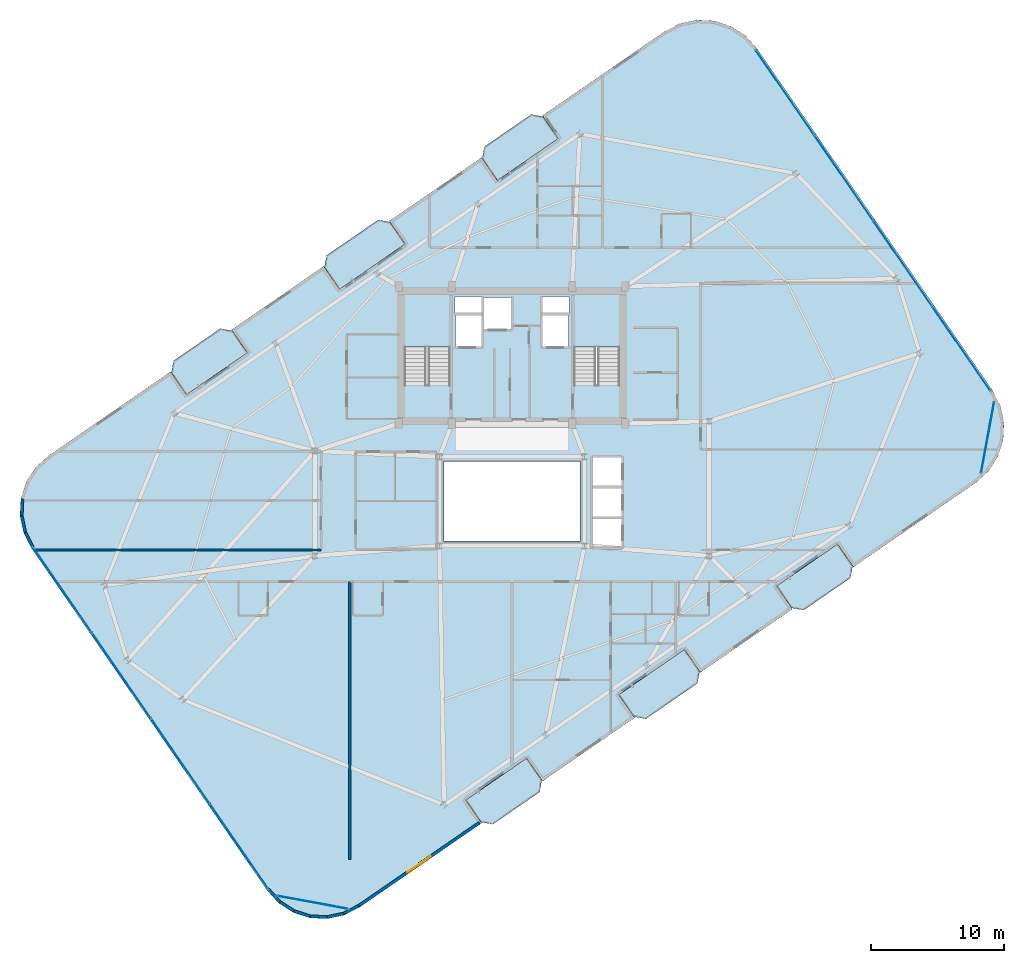
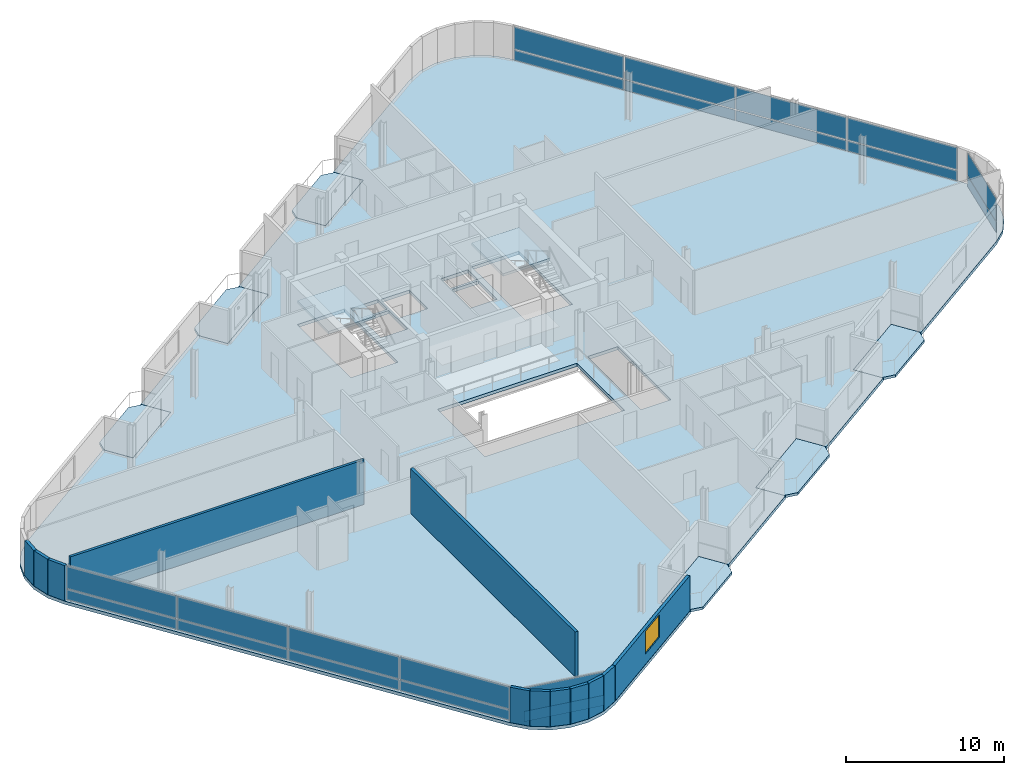
# One storey, part 15 of 23: 20 plates, 12 walls, 9 slabs, 1 window, 1 opening, 6 elements without a shape of their own.
"""IFC4 building model written with IfcOpenShell, lengths in metres."""

from ifc_helpers import new_model, si_unit, direction, frame, frame_2d, origin, origin_2d, place, context, subcontext, project, spatial, polyline, rectangle, outline, extrude, source, transform, mapped, material, layer, layer_set, type_object, element, fill, aggregate, save


model = new_model("IFC4")

# Units and contexts
model_context = context("Model", 3, precision=1e-05, world=origin(), true_north=direction((0.0, 1.0)))
body_context = subcontext(model_context, "Body", "Model", "MODEL_VIEW")
ifc_project = project(units=[si_unit("LENGTHUNIT", "METRE"), si_unit("AREAUNIT", "SQUARE_METRE"), si_unit("VOLUMEUNIT", "CUBIC_METRE"), si_unit("PLANEANGLEUNIT", "RADIAN"), si_unit("MASSUNIT", "GRAM", prefix="KILO")], contexts=[model_context])

# Site, building, storey
site_placement = place(None, origin())
site = spatial("IfcSite", under=ifc_project, at=site_placement, CompositionType="ELEMENT")
building_placement = place(site_placement, origin())
building = spatial("IfcBuilding", under=site, at=building_placement, Name="Varnelok Gate Tower", CompositionType="ELEMENT")
storey_placement = place(building_placement, frame((0.0, 0.0, 273.0)))
storey = spatial("IfcBuildingStorey", under=building, at=storey_placement, Name="L70", CompositionType="ELEMENT", Elevation=273.0)

# Slabs
ifc_material_1 = material(Name="Concrete C45/55", Category="concrete")
ifc_layer_1 = layer(ifc_material_1, 0.199951171875)
ifc_layer_set_1 = layer_set([ifc_layer_1], Name="Concrete C45/55")
slab_type_1 = type_object("IfcSlabType", Name="SLB-BALC-200", PredefinedType="FLOOR", material=ifc_layer_set_1)
slab_1_placement = place(storey_placement, frame((0.0, 0.0, -0.199951171875)))
element("IfcSlab", 1, at=slab_1_placement, inside=storey, type_object=slab_type_1, Name="L70 South Hollow Balcony 1", PredefinedType="FLOOR", context=body_context, shape_type="SweptSolid", body=[
    extrude(outline(polyline([(36.856201171875, -1.207275390625), (37.76025390625, -1.373779296875), (41.274169921875, 1.046630859375), (41.440673828125, 1.95068359375), (40.30615234375, 3.597900390625), (35.7216796875, 0.439697265625), (36.856201171875, -1.207275390625)])), origin(), (0.0, 0.0, 1.0), 0.199951171875),
])
slab_2_placement = place(storey_placement, frame((0.0, 0.0, -0.199951171875)))
element("IfcSlab", 2, at=slab_2_placement, inside=storey, type_object=slab_type_1, Name="L70 South Hollow Balcony 2", PredefinedType="FLOOR", context=body_context, shape_type="SweptSolid", body=[
    extrude(outline(polyline([(48.3583984375, 6.7158203125), (49.262451171875, 6.54931640625), (53.133056640625, 9.21533203125), (53.299560546875, 10.119384765625), (52.1650390625, 11.7666015625), (47.223876953125, 8.36279296875), (48.3583984375, 6.7158203125)])), origin(), (0.0, 0.0, 1.0), 0.199951171875),
])
slab_3_placement = place(storey_placement, frame((0.0, 0.0, -0.199951171875)))
element("IfcSlab", 3, at=slab_3_placement, inside=storey, type_object=slab_type_1, Name="L70 South Hollow Balcony 3", PredefinedType="FLOOR", context=body_context, shape_type="SweptSolid", body=[
    extrude(outline(polyline([(60.21728515625, 14.884521484375), (61.121337890625, 14.718017578125), (64.63525390625, 17.138427734375), (64.802001953125, 18.04248046875), (63.66748046875, 19.689453125), (59.082763671875, 16.531494140625), (60.21728515625, 14.884521484375)])), origin(), (0.0, 0.0, 1.0), 0.199951171875),
])
slab_4_placement = place(storey_placement, frame((0.0, 0.0, -0.199951171875)))
element("IfcSlab", 4, at=slab_4_placement, inside=storey, type_object=slab_type_1, Name="L70 North Hollow Balcony 1", PredefinedType="FLOOR", context=body_context, shape_type="SweptSolid", body=[
    extrude(outline(polyline([(14.732666015625, 30.910400390625), (19.3173828125, 34.068603515625), (18.1826171875, 35.715576171875), (17.27880859375, 35.882080078125), (13.7646484375, 33.461669921875), (13.59814453125, 32.5576171875), (14.732666015625, 30.910400390625)])), origin(), (0.0, 0.0, 1.0), 0.199951171875),
])
slab_5_placement = place(storey_placement, frame((0.0, 0.0, -0.199951171875)))
element("IfcSlab", 5, at=slab_5_placement, inside=storey, type_object=slab_type_1, Name="L70 North Hollow Balcony 2", PredefinedType="FLOOR", context=body_context, shape_type="SweptSolid", body=[
    extrude(outline(polyline([(26.23486328125, 38.83349609375), (31.176025390625, 42.2373046875), (30.04150390625, 43.88427734375), (29.1376953125, 44.05078125), (25.26708984375, 41.384521484375), (25.100341796875, 40.480712890625), (26.23486328125, 38.83349609375)])), origin(), (0.0, 0.0, 1.0), 0.199951171875),
])
slab_6_placement = place(storey_placement, frame((0.0, 0.0, -0.199951171875)))
element("IfcSlab", 6, at=slab_6_placement, inside=storey, type_object=slab_type_1, Name="L70 North Hollow Balcony 3", PredefinedType="FLOOR", context=body_context, shape_type="SweptSolid", body=[
    extrude(outline(polyline([(38.09375, 47.002197265625), (42.678466796875, 50.16015625), (41.5439453125, 51.807373046875), (40.639892578125, 51.973876953125), (37.125732421875, 49.55322265625), (36.959228515625, 48.6494140625), (38.09375, 47.002197265625)])), origin(), (0.0, 0.0, 1.0), 0.199951171875),
])

# Stair, slab
ifc_material_2 = material(Name="Concrete C50/60", Category="concrete")
stair_type = type_object("IfcStairType", Name="STR-CORE-1650", PredefinedType="HALF_TURN_STAIR", material=ifc_material_2)
stair_1_placement = place(storey_placement, origin())
stair_1 = element("IfcStair", 7, at=stair_1_placement, inside=storey, type_object=stair_type, Name="L70 Exit Stair ST-1", PredefinedType="HALF_TURN_STAIR")
ifc_layer_2 = layer(ifc_material_1, 0.199951171875)
ifc_layer_set_2 = layer_set([ifc_layer_2], Name="Concrete C45/55")
slab_type_2 = type_object("IfcSlabType", Name="SLB-LAND-200", PredefinedType="LANDING", material=ifc_layer_set_2)
slab_7_placement = place(storey_placement, frame((0.0, 0.0, 1.64990234375)))
slab_7 = element("IfcSlab", 8, at=slab_7_placement, type_object=slab_type_2, Name="ST-1 landing 1", PredefinedType="LANDING", context=body_context, shape_type="SweptSolid", body=[
    extrude(outline(polyline([(34.550048828125, 34.5), (34.550048828125, 38.449951171875), (31.10009765625, 38.449951171875), (31.10009765625, 34.5), (34.550048828125, 34.5)])), origin(), (0.0, 0.0, 1.0), 0.2001953125),
])
aggregate(stair_1, [slab_7])

stair_2_placement = place(storey_placement, origin())
stair_2 = element("IfcStair", 9, at=stair_2_placement, inside=storey, type_object=stair_type, Name="L70 Exit Stair ST-2", PredefinedType="HALF_TURN_STAIR")
slab_8_placement = place(storey_placement, frame((0.0, 0.0, 1.64990234375)))
slab_8 = element("IfcSlab", 10, at=slab_8_placement, type_object=slab_type_2, Name="ST-2 landing 1", PredefinedType="LANDING", context=body_context, shape_type="SweptSolid", body=[
    extrude(outline(polyline([(47.300048828125, 34.5), (47.300048828125, 38.449951171875), (43.85009765625, 38.449951171875), (43.85009765625, 34.5), (47.300048828125, 34.5)])), origin(), (0.0, 0.0, 1.0), 0.2001953125),
])
aggregate(stair_2, [slab_8])

# Slab
ifc_layer_3 = layer(ifc_material_2, 0.25)
ifc_layer_set_3 = layer_set([ifc_layer_3], Name="Concrete C50/60")
slab_type_3 = type_object("IfcSlabType", Name="SLB-TYP-250", PredefinedType="FLOOR", material=ifc_layer_set_3)
slab_9_placement = place(storey_placement, frame((0.0, 0.0, -0.25)))
element("IfcSlab", 11, at=slab_9_placement, inside=storey, type_object=slab_type_3, Name="L70 Structural Floor Slab", PredefinedType="FLOOR", context=body_context, shape_type="SweptSolid", body=[
    extrude(outline(polyline([(20.79052734375, -6.32373046875), (21.664794921875, -7.292724609375), (22.76025390625, -8.00244140625), (24.002197265625, -8.404541015625), (25.3056640625, -8.471435546875), (26.58203125, -8.19873046875), (27.744384765625, -7.60498046875), (36.25439453125, -1.7431640625), (36.912841796875, -1.28955078125), (35.7216796875, 0.439697265625), (40.30615234375, 3.597900390625), (41.49755859375, 1.868408203125), (48.4150390625, 6.63330078125), (47.223876953125, 8.36279296875), (52.1650390625, 11.7666015625), (53.356201171875, 10.037109375), (60.27392578125, 14.802001953125), (59.082763671875, 16.531494140625), (63.66748046875, 19.689453125), (64.858642578125, 17.960205078125), (65.51708984375, 18.413818359375), (74.027099609375, 24.275390625), (74.99609375, 25.14990234375), (75.705810546875, 26.245361328125), (76.10791015625, 27.487060546875), (76.1748046875, 28.79052734375), (75.902099609375, 30.067138671875), (75.308349609375, 31.2294921875), (57.609619140625, 56.923583984375), (56.735107421875, 57.892822265625), (55.6396484375, 58.6025390625), (54.39794921875, 59.00439453125), (53.094482421875, 59.071533203125), (51.81787109375, 58.798828125), (50.655517578125, 58.205078125), (42.145751953125, 52.34326171875), (41.487060546875, 51.8896484375), (42.678466796875, 50.16015625), (38.09375, 47.002197265625), (36.902587890625, 48.731689453125), (29.98486328125, 43.966552734375), (31.176025390625, 42.2373046875), (26.23486328125, 38.83349609375), (25.043701171875, 40.56298828125), (18.1259765625, 35.7978515625), (19.3173828125, 34.068603515625), (14.732666015625, 30.910400390625), (13.54150390625, 32.639892578125), (12.8828125, 32.186279296875), (4.373046875, 26.324462890625), (3.40380859375, 25.4501953125), (2.694091796875, 24.354736328125), (2.292236328125, 23.11279296875), (2.22509765625, 21.809326171875), (2.497802734375, 20.532958984375), (3.091796875, 19.37060546875), (20.79052734375, -6.32373046875)]), holes=[polyline([(34.550048828125, 31.679931640625), (34.550048828125, 38.449951171875), (31.10009765625, 38.449951171875), (31.10009765625, 31.679931640625), (34.550048828125, 31.679931640625)]), polyline([(47.300048828125, 31.679931640625), (47.300048828125, 38.449951171875), (43.85009765625, 38.449951171875), (43.85009765625, 31.679931640625), (47.300048828125, 31.679931640625)]), polyline([(34.949951171875, 34.550048828125), (36.89990234375, 34.550048828125), (36.89990234375, 36.89990234375), (34.949951171875, 36.89990234375), (34.949951171875, 34.550048828125)]), polyline([(41.5, 34.550048828125), (43.449951171875, 34.550048828125), (43.449951171875, 36.89990234375), (41.5, 36.89990234375), (41.5, 34.550048828125)]), polyline([(37.050048828125, 35.85009765625), (39.14990234375, 35.85009765625), (39.14990234375, 38.199951171875), (37.050048828125, 38.199951171875), (37.050048828125, 35.85009765625)]), polyline([(45.25, 19.449951171875), (47.449951171875, 19.449951171875), (47.449951171875, 26.199951171875), (45.25, 26.199951171875), (45.25, 19.449951171875)]), polyline([(34.919921875, 37.080078125), (36.89990234375, 37.080078125), (36.89990234375, 38.280029296875), (34.919921875, 38.280029296875), (34.919921875, 37.080078125)]), polyline([(41.5, 37.080078125), (43.47998046875, 37.080078125), (43.47998046875, 38.280029296875), (41.5, 38.280029296875), (41.5, 37.080078125)]), polyline([(34.10009765625, 19.89990234375), (44.300048828125, 19.89990234375), (44.300048828125, 25.89990234375), (34.10009765625, 25.89990234375), (34.10009765625, 19.89990234375)])]), origin(), (0.0, 0.0, 1.0), 0.25),
])

# Curtain wall, plates
ifc_material_3 = material(Name="Anodized Aluminum Alloy 6063-T6", Category="aluminium")
ifc_layer_4 = layer(ifc_material_3, 0.179931640625)
ifc_layer_set_4 = layer_set([ifc_layer_4], Name="Anodized Aluminum Alloy 6063-T6")
curtain_wall_type_1 = type_object("IfcCurtainWallType", Name="CW4-RESIDENCE-VISION", PredefinedType="USERDEFINED", material=ifc_layer_set_4)
curtain_wall_1_placement = place(storey_placement, origin())
curtain_wall_1 = element("IfcCurtainWall", 12, at=curtain_wall_1_placement, inside=storey, type_object=curtain_wall_type_1, Name="L70 West End Vision Curtain Wall", ObjectType="UNITISED CURTAIN WALL", PredefinedType="USERDEFINED")
ifc_material_4 = material(Name="Low-E Laminated Double Glazing IGU", Category="glass")
ifc_layer_5 = layer(ifc_material_4, 0.035888671875)
ifc_layer_set_5 = layer_set([ifc_layer_5], Name="Low-E Laminated Double Glazing IGU")
plate_type_1 = type_object("IfcPlateType", Name="CW-PNL-IGU36", PredefinedType="CURTAIN_PANEL", material=ifc_layer_set_5)
shared_shape_1 = source(origin(), body_context, "Body", "SweptSolid", [
    extrude(rectangle(XDim=7.6875, YDim=0.035888671875, at=origin_2d()), origin(), (0.0, 0.0, 1.0), 0.78759765625),
])
plate_1_placement = place(storey_placement, frame((18.682861328125, -3.01708984375, 0.074951171875), z_axis=(0.0, 0.0, 1.0), x_axis=(-0.567269395376, 0.823532290241, 0.0)))
plate_1 = element("IfcPlate", 13, at=plate_1_placement, type_object=plate_type_1, Name="CW4 panel 1.1", PredefinedType="CURTAIN_PANEL", context=body_context, shape_type="MappedRepresentation", body=[
    mapped(shared_shape_1, transform((0.0, 0.0, 0.0), scale=1.0)),
])
plate_2_placement = place(storey_placement, frame((5.429931640625, 16.22265625, 0.074951171875), z_axis=(0.0, 0.0, 1.0), x_axis=(-0.567269395376, 0.823532290241, 0.0)))
plate_2 = element("IfcPlate", 14, at=plate_2_placement, type_object=plate_type_1, Name="CW4 panel 4.1", PredefinedType="CURTAIN_PANEL", context=body_context, shape_type="MappedRepresentation", body=[
    mapped(shared_shape_1, transform((0.0, 0.0, 0.0), scale=1.0)),
])

curtain_wall_2_placement = place(storey_placement, origin())
curtain_wall_2 = element("IfcCurtainWall", 15, at=curtain_wall_2_placement, inside=storey, type_object=curtain_wall_type_1, Name="L70 East End Vision Curtain Wall", ObjectType="UNITISED CURTAIN WALL", PredefinedType="USERDEFINED")
plate_3_placement = place(storey_placement, frame((59.71728515625, 53.6171875, 0.074951171875), z_axis=(0.0, 0.0, 1.0), x_axis=(0.567269395376, -0.823532290241, 0.0)))
plate_3 = element("IfcPlate", 16, at=plate_3_placement, type_object=plate_type_1, Name="CW4 panel 1.1", PredefinedType="CURTAIN_PANEL", context=body_context, shape_type="MappedRepresentation", body=[
    mapped(shared_shape_1, transform((0.0, 0.0, 0.0), scale=1.0)),
])
plate_4_placement = place(storey_placement, frame((72.969970703125, 34.377197265625, 0.074951171875), z_axis=(0.0, 0.0, 1.0), x_axis=(0.567269395376, -0.823532290241, 0.0)))
plate_4 = element("IfcPlate", 17, at=plate_4_placement, type_object=plate_type_1, Name="CW4 panel 4.1", PredefinedType="CURTAIN_PANEL", context=body_context, shape_type="MappedRepresentation", body=[
    mapped(shared_shape_1, transform((0.0, 0.0, 0.0), scale=1.0)),
])

# Plate
shared_shape_2 = source(origin(), body_context, "Body", "SweptSolid", [
    extrude(rectangle(XDim=7.6875, YDim=0.035888671875, at=origin_2d()), origin(), (0.0, 0.0, 1.0), 1.717529296875),
])
plate_5_placement = place(storey_placement, frame((18.682861328125, -3.01708984375, 0.9375), z_axis=(0.0, 0.0, 1.0), x_axis=(-0.567269395376, 0.823532290241, 0.0)))
plate_5 = element("IfcPlate", 18, at=plate_5_placement, type_object=plate_type_1, Name="CW4 panel 1.2", PredefinedType="CURTAIN_PANEL", context=body_context, shape_type="MappedRepresentation", body=[
    mapped(shared_shape_2, transform((0.0, 0.0, 0.0), scale=1.0)),
])

plate_6_placement = place(storey_placement, frame((5.429931640625, 16.22265625, 0.9375), z_axis=(0.0, 0.0, 1.0), x_axis=(-0.567269395376, 0.823532290241, 0.0)))
plate_6 = element("IfcPlate", 19, at=plate_6_placement, type_object=plate_type_1, Name="CW4 panel 4.2", PredefinedType="CURTAIN_PANEL", context=body_context, shape_type="MappedRepresentation", body=[
    mapped(shared_shape_2, transform((0.0, 0.0, 0.0), scale=1.0)),
])

plate_7_placement = place(storey_placement, frame((59.71728515625, 53.6171875, 0.9375), z_axis=(0.0, 0.0, 1.0), x_axis=(0.567269395376, -0.823532290241, 0.0)))
plate_7 = element("IfcPlate", 20, at=plate_7_placement, type_object=plate_type_1, Name="CW4 panel 1.2", PredefinedType="CURTAIN_PANEL", context=body_context, shape_type="MappedRepresentation", body=[
    mapped(shared_shape_2, transform((0.0, 0.0, 0.0), scale=1.0)),
])

plate_8_placement = place(storey_placement, frame((72.969970703125, 34.377197265625, 0.9375), z_axis=(0.0, 0.0, 1.0), x_axis=(0.567269395376, -0.823532290241, 0.0)))
plate_8 = element("IfcPlate", 21, at=plate_8_placement, type_object=plate_type_1, Name="CW4 panel 4.2", PredefinedType="CURTAIN_PANEL", context=body_context, shape_type="MappedRepresentation", body=[
    mapped(shared_shape_2, transform((0.0, 0.0, 0.0), scale=1.0)),
])

shared_shape_3 = source(origin(), body_context, "Body", "SweptSolid", [
    extrude(rectangle(XDim=7.72509765625, YDim=0.035888671875, at=origin_2d()), origin(), (0.0, 0.0, 1.0), 0.78759765625),
])
plate_9_placement = place(storey_placement, frame((14.268798828125, 3.39111328125, 0.074951171875), z_axis=(0.0, 0.0, 1.0), x_axis=(-0.567269395376, 0.823532290241, 0.0)))
plate_9 = element("IfcPlate", 22, at=plate_9_placement, type_object=plate_type_1, Name="CW4 panel 2.1", PredefinedType="CURTAIN_PANEL", context=body_context, shape_type="MappedRepresentation", body=[
    mapped(shared_shape_3, transform((0.0, 0.0, 0.0), scale=1.0)),
])

plate_10_placement = place(storey_placement, frame((9.843994140625, 9.814453125, 0.074951171875), z_axis=(0.0, 0.0, 1.0), x_axis=(-0.567269395376, 0.823532290241, 0.0)))
plate_10 = element("IfcPlate", 23, at=plate_10_placement, type_object=plate_type_1, Name="CW4 panel 3.1", PredefinedType="CURTAIN_PANEL", context=body_context, shape_type="MappedRepresentation", body=[
    mapped(shared_shape_3, transform((0.0, 0.0, 0.0), scale=1.0)),
])

plate_11_placement = place(storey_placement, frame((64.13134765625, 47.208984375, 0.074951171875), z_axis=(0.0, 0.0, 1.0), x_axis=(0.567269395376, -0.823532290241, 0.0)))
plate_11 = element("IfcPlate", 24, at=plate_11_placement, type_object=plate_type_1, Name="CW4 panel 2.1", PredefinedType="CURTAIN_PANEL", context=body_context, shape_type="MappedRepresentation", body=[
    mapped(shared_shape_3, transform((0.0, 0.0, 0.0), scale=1.0)),
])

plate_12_placement = place(storey_placement, frame((68.555908203125, 40.785400390625, 0.074951171875), z_axis=(0.0, 0.0, 1.0), x_axis=(0.567269395376, -0.823532290241, 0.0)))
plate_12 = element("IfcPlate", 25, at=plate_12_placement, type_object=plate_type_1, Name="CW4 panel 3.1", PredefinedType="CURTAIN_PANEL", context=body_context, shape_type="MappedRepresentation", body=[
    mapped(shared_shape_3, transform((0.0, 0.0, 0.0), scale=1.0)),
])

shared_shape_4 = source(origin(), body_context, "Body", "SweptSolid", [
    extrude(rectangle(XDim=7.72509765625, YDim=0.035888671875, at=origin_2d()), origin(), (0.0, 0.0, 1.0), 1.717529296875),
])
plate_13_placement = place(storey_placement, frame((14.268798828125, 3.39111328125, 0.9375), z_axis=(0.0, 0.0, 1.0), x_axis=(-0.567269395376, 0.823532290241, 0.0)))
plate_13 = element("IfcPlate", 26, at=plate_13_placement, type_object=plate_type_1, Name="CW4 panel 2.2", PredefinedType="CURTAIN_PANEL", context=body_context, shape_type="MappedRepresentation", body=[
    mapped(shared_shape_4, transform((0.0, 0.0, 0.0), scale=1.0)),
])

plate_14_placement = place(storey_placement, frame((9.843994140625, 9.814453125, 0.9375), z_axis=(0.0, 0.0, 1.0), x_axis=(-0.567269395376, 0.823532290241, 0.0)))
plate_14 = element("IfcPlate", 27, at=plate_14_placement, type_object=plate_type_1, Name="CW4 panel 3.2", PredefinedType="CURTAIN_PANEL", context=body_context, shape_type="MappedRepresentation", body=[
    mapped(shared_shape_4, transform((0.0, 0.0, 0.0), scale=1.0)),
])

aggregate(curtain_wall_1, [plate_1, plate_5, plate_9, plate_13, plate_10, plate_14, plate_2, plate_6])

plate_15_placement = place(storey_placement, frame((64.13134765625, 47.208984375, 0.9375), z_axis=(0.0, 0.0, 1.0), x_axis=(0.567269395376, -0.823532290241, 0.0)))
plate_15 = element("IfcPlate", 28, at=plate_15_placement, type_object=plate_type_1, Name="CW4 panel 2.2", PredefinedType="CURTAIN_PANEL", context=body_context, shape_type="MappedRepresentation", body=[
    mapped(shared_shape_4, transform((0.0, 0.0, 0.0), scale=1.0)),
])

plate_16_placement = place(storey_placement, frame((68.555908203125, 40.785400390625, 0.9375), z_axis=(0.0, 0.0, 1.0), x_axis=(0.567269395376, -0.823532290241, 0.0)))
plate_16 = element("IfcPlate", 29, at=plate_16_placement, type_object=plate_type_1, Name="CW4 panel 3.2", PredefinedType="CURTAIN_PANEL", context=body_context, shape_type="MappedRepresentation", body=[
    mapped(shared_shape_4, transform((0.0, 0.0, 0.0), scale=1.0)),
])

aggregate(curtain_wall_2, [plate_3, plate_7, plate_11, plate_15, plate_12, plate_16, plate_4, plate_8])

# Curtain wall, plate
ifc_layer_6 = layer(ifc_material_3, 0.179931640625)
ifc_layer_set_6 = layer_set([ifc_layer_6], Name="Anodized Aluminum Alloy 6063-T6")
curtain_wall_type_2 = type_object("IfcCurtainWallType", Name="CW5-WINDCORNER-GLAZ", PredefinedType="USERDEFINED", material=ifc_layer_set_6)
curtain_wall_3_placement = place(storey_placement, origin())
curtain_wall_3 = element("IfcCurtainWall", 30, at=curtain_wall_3_placement, inside=storey, type_object=curtain_wall_type_2, Name="L70 Wind-Shaped Corner Curtain Wall SW", ObjectType="STRUCTURAL GLAZING", PredefinedType="USERDEFINED")
ifc_layer_7 = layer(ifc_material_4, 0.0419921875)
ifc_layer_set_7 = layer_set([ifc_layer_7], Name="Low-E Laminated Double Glazing IGU")
plate_type_2 = type_object("IfcPlateType", Name="CW-PNL-SPN42", PredefinedType="CURTAIN_PANEL", material=ifc_layer_set_7)
shared_shape_5 = source(origin(), body_context, "Body", "SweptSolid", [
    extrude(rectangle(XDim=5.385498046875, YDim=0.0419921875, at=origin_2d()), origin(), (0.0, 0.0, 1.0), 0.802490234375),
])
plate_17_placement = place(storey_placement, frame((24.21630859375, -7.242431640625, 0.06494140625), z_axis=(0.0, 0.0, 1.0), x_axis=(0.983445962106, -0.181201654564, 0.0)))
plate_17 = element("IfcPlate", 31, at=plate_17_placement, type_object=plate_type_2, Name="CW5 panel 1.1", PredefinedType="CURTAIN_PANEL", context=body_context, shape_type="MappedRepresentation", body=[
    mapped(shared_shape_5, transform((0.0, 0.0, 0.0), scale=1.0)),
])

curtain_wall_4_placement = place(storey_placement, origin())
curtain_wall_4 = element("IfcCurtainWall", 32, at=curtain_wall_4_placement, inside=storey, type_object=curtain_wall_type_2, Name="L70 Wind-Shaped Corner Curtain Wall SE", ObjectType="STRUCTURAL GLAZING", PredefinedType="USERDEFINED")
plate_18_placement = place(storey_placement, frame((74.94580078125, 27.701171875, 0.06494140625), z_axis=(0.0, 0.0, 1.0), x_axis=(0.181201654564, 0.983445962106, 0.0)))
plate_18 = element("IfcPlate", 33, at=plate_18_placement, type_object=plate_type_2, Name="CW5 panel 1.1", PredefinedType="CURTAIN_PANEL", context=body_context, shape_type="MappedRepresentation", body=[
    mapped(shared_shape_5, transform((0.0, 0.0, 0.0), scale=1.0)),
])

# Plate
shared_shape_6 = source(origin(), body_context, "Body", "SweptSolid", [
    extrude(rectangle(XDim=5.385498046875, YDim=0.0419921875, at=origin_2d()), origin(), (0.0, 0.0, 1.0), 1.732421875),
])
plate_19_placement = place(storey_placement, frame((24.21630859375, -7.242431640625, 0.9326171875), z_axis=(0.0, 0.0, 1.0), x_axis=(0.983445962106, -0.181201654564, 0.0)))
plate_19 = element("IfcPlate", 34, at=plate_19_placement, type_object=plate_type_2, Name="CW5 panel 1.2", PredefinedType="CURTAIN_PANEL", context=body_context, shape_type="MappedRepresentation", body=[
    mapped(shared_shape_6, transform((0.0, 0.0, 0.0), scale=1.0)),
])

aggregate(curtain_wall_3, [plate_17, plate_19])

plate_20_placement = place(storey_placement, frame((74.94580078125, 27.701171875, 0.9326171875), z_axis=(0.0, 0.0, 1.0), x_axis=(0.181201654564, 0.983445962106, 0.0)))
plate_20 = element("IfcPlate", 35, at=plate_20_placement, type_object=plate_type_2, Name="CW5 panel 1.2", PredefinedType="CURTAIN_PANEL", context=body_context, shape_type="MappedRepresentation", body=[
    mapped(shared_shape_6, transform((0.0, 0.0, 0.0), scale=1.0)),
])

aggregate(curtain_wall_4, [plate_18, plate_20])

# Walls
ifc_layer_8 = layer(ifc_material_1, 0.219970703125)
ifc_layer_set_8 = layer_set([ifc_layer_8], Name="Concrete C45/55")
wall_type_1 = type_object("IfcWallType", Name="EW-BALC-220", PredefinedType="SOLIDWALL", material=ifc_layer_set_8)
wall_1_placement = place(storey_placement, frame((20.89013671875, -6.255126953125, 0.0), z_axis=(0.0, 0.0, 1.0), x_axis=(0.669949059844, -0.74240706975, 0.0)))
element("IfcWall", 36, at=wall_1_placement, inside=storey, type_object=wall_type_1, Name="L70 Perimeter Facade Closure Wall 1", PredefinedType="SOLIDWALL", context=body_context, shape_type="SweptSolid", body=[
    extrude(rectangle(XDim=1.273681640625, YDim=0.219970703125, at=frame_2d((0.63671875, 0.0))), origin(), (0.0, 0.0, 1.0), 2.72998046875),
])
for number, where, z_axis, x_axis, name in (
    (37, (21.764404296875, -7.21435546875, 0.0), (0.0, 0.0, 1.0), (0.839229000731, -0.543778157277, 0.0), "L70 Perimeter Facade Closure Wall 2"),
    (38, (22.836181640625, -7.90087890625, 0.0), (0.0, 0.0, 1.0), (0.951385542995, -0.308002513919, 0.0), "L70 Perimeter Facade Closure Wall 3"),
    (39, (24.049072265625, -8.286865234375, 0.0), (0.0, 0.0, 1.0), (0.998686637427, -0.051234756022, 0.0), "L70 Perimeter Facade Closure Wall 4"),
):
    element("IfcWall", number, at=place(storey_placement, frame(where, z_axis=z_axis, x_axis=x_axis)), inside=storey, type_object=wall_type_1, Name=name, PredefinedType="SOLIDWALL", context=body_context, shape_type="SweptSolid", body=[
        extrude(rectangle(XDim=1.24853515625, YDim=0.219970703125, at=frame_2d((0.624267578125, 0.0))), origin(), (0.0, 0.0, 1.0), 2.72998046875),
    ])
wall_2_placement = place(storey_placement, frame((25.3203125, -8.345703125, 0.0), z_axis=(0.0, 0.0, 1.0), x_axis=(0.977916710262, 0.208994994656, 0.0)))
element("IfcWall", 40, at=wall_2_placement, inside=storey, type_object=wall_type_1, Name="L70 Perimeter Facade Closure Wall 5", PredefinedType="SOLIDWALL", context=body_context, shape_type="SweptSolid", body=[
    extrude(rectangle(XDim=1.248779296875, YDim=0.219970703125, at=frame_2d((0.62451171875, 0.0))), origin(), (0.0, 0.0, 1.0), 2.72998046875),
])
wall_3_placement = place(storey_placement, frame((26.563720703125, -8.073486328125, 0.0), z_axis=(0.0, 0.0, 1.0), x_axis=(0.890508147271, 0.454967295137, 0.0)))
element("IfcWall", 41, at=wall_3_placement, inside=storey, type_object=wall_type_1, Name="L70 Perimeter Facade Closure Wall 6", PredefinedType="SOLIDWALL", context=body_context, shape_type="SweptSolid", body=[
    extrude(rectangle(XDim=1.2568359375, YDim=0.219970703125, at=frame_2d((0.62841796875, 0.0))), origin(), (0.0, 0.0, 1.0), 2.72998046875),
])

# Wall, opening, window
wall_4_placement = place(storey_placement, frame((27.70361328125, -7.487548828125, 0.0), z_axis=(0.0, 0.0, 1.0), x_axis=(0.823529068157, 0.567274073003, 0.0)))
wall_4 = element("IfcWall", 42, at=wall_4_placement, inside=storey, type_object=wall_type_1, Name="L70 Perimeter Facade Closure Wall 7", PredefinedType="SOLIDWALL", context=body_context, shape_type="SweptSolid", body=[
    extrude(rectangle(XDim=10.980224609375, YDim=0.219970703125, at=frame_2d((5.490234375, 0.0))), origin(), (0.0, 0.0, 1.0), 2.72998046875),
])
opening_placement = place(wall_4_placement, frame((4.440185546875, 0.0, 0.800048828125)))
opening = element("IfcOpeningElement", 43, at=opening_placement, cuts=wall_4, Name="Opening WN4", PredefinedType="OPENING", context=body_context, shape_type="SweptSolid", body=[
    extrude(rectangle(XDim=2.10009765625, YDim=1.75, at=frame_2d((1.050048828125, 0.875))), frame((0.0, 0.119873046875, 0.0), z_axis=(0.0, -1.0, 0.0), x_axis=(1.0, 0.0, 0.0)), (0.0, 0.0, 1.0), 0.239990234375),
])
window_type = type_object("IfcWindowType", Name="WN-SUI-2100", PartitioningType="SINGLE_PANEL", PredefinedType="WINDOW", material=ifc_material_4)
window_placement = place(opening_placement, origin())
window = element("IfcWindow", 44, at=window_placement, inside=storey, type_object=window_type, Name="L70 Perimeter Vision Window 7", OverallHeight=1.75, OverallWidth=2.10009765625, PartitioningType="SINGLE_PANEL", PredefinedType="WINDOW", context=body_context, shape_type="SweptSolid", body=[
    extrude(rectangle(XDim=2.10009765625, YDim=1.75, at=frame_2d((1.050048828125, 0.875))), frame((0.0, 0.030029296875, 0.0), z_axis=(0.0, -1.0, 0.0), x_axis=(1.0, 0.0, 0.0)), (0.0, 0.0, 1.0), 0.06005859375),
])
fill(opening, window)

# Walls
wall_5_placement = place(storey_placement, frame((2.409912109375, 23.06591796875, 0.0), z_axis=(0.0, 0.0, 1.0), x_axis=(-0.051234756022, -0.998686637427, 0.0)))
element("IfcWall", 45, at=wall_5_placement, inside=storey, type_object=wall_type_1, Name="L70 Perimeter Facade Closure Wall 42", PredefinedType="SOLIDWALL", context=body_context, shape_type="SweptSolid", body=[
    extrude(rectangle(XDim=1.24853515625, YDim=0.219970703125, at=frame_2d((0.624267578125, 0.0))), origin(), (0.0, 0.0, 1.0), 2.72998046875),
])
for number, where, z_axis, x_axis, name in (
    (46, (2.35107421875, 21.794677734375, 0.0), (0.0, 0.0, 1.0), (0.208994994656, -0.977916710262, 0.0), "L70 Perimeter Facade Closure Wall 43"),
    (47, (2.623291015625, 20.55126953125, 0.0), (0.0, 0.0, 1.0), (0.454938817534, -0.890522696118, 0.0), "L70 Perimeter Facade Closure Wall 44"),
):
    element("IfcWall", number, at=place(storey_placement, frame(where, z_axis=z_axis, x_axis=x_axis)), inside=storey, type_object=wall_type_1, Name=name, PredefinedType="SOLIDWALL", context=body_context, shape_type="SweptSolid", body=[
        extrude(rectangle(XDim=1.248779296875, YDim=0.219970703125, at=frame_2d((0.62451171875, 0.0))), origin(), (0.0, 0.0, 1.0), 2.72998046875),
    ])
ifc_material_5 = material(Name="Gypsum Plasterboard Acoustic Partition", Category="gypsum")
ifc_layer_9 = layer(ifc_material_5, 0.179931640625)
ifc_layer_set_9 = layer_set([ifc_layer_9], Name="Gypsum Plasterboard Acoustic Partition")
wall_type_2 = type_object("IfcWallType", Name="PW-CORR-180", PredefinedType="PARTITIONING", material=ifc_layer_set_9)
wall_6_placement = place(storey_placement, frame((3.3916015625, 19.239990234375, 0.0), z_axis=(0.0, 0.0, 1.0), x_axis=(1.0, 0.0, 0.0)))
element("IfcWall", 48, at=wall_6_placement, inside=storey, type_object=wall_type_2, Name="Interior Partition", PredefinedType="PARTITIONING", context=body_context, shape_type="SweptSolid", body=[
    extrude(rectangle(XDim=21.45849609375, YDim=0.179931640625, at=frame_2d((10.729248046875, 0.0))), origin(), (0.0, 0.0, 1.0), 3.449951171875),
])
ifc_layer_10 = layer(ifc_material_5, 0.205078125)
ifc_layer_set_10 = layer_set([ifc_layer_10], Name="Gypsum Plasterboard Acoustic Partition")
wall_type_3 = type_object("IfcWallType", Name="PW-PARTY-200", PredefinedType="PARTITIONING", material=ifc_layer_set_10)
wall_7_placement = place(storey_placement, frame((27.0, -4.0, 0.0), z_axis=(0.0, 0.0, 1.0), x_axis=(0.0, 1.0, 0.0)))
element("IfcWall", 49, at=wall_7_placement, inside=storey, type_object=wall_type_3, Name="L70 South Party Wall 1", PredefinedType="PARTITIONING", context=body_context, shape_type="SweptSolid", body=[
    extrude(rectangle(XDim=20.85009765625, YDim=0.205078125, at=frame_2d((10.425048828125, 0.0))), origin(), (0.0, 0.0, 1.0), 3.449951171875),
])

save(model, "model.ifc")
